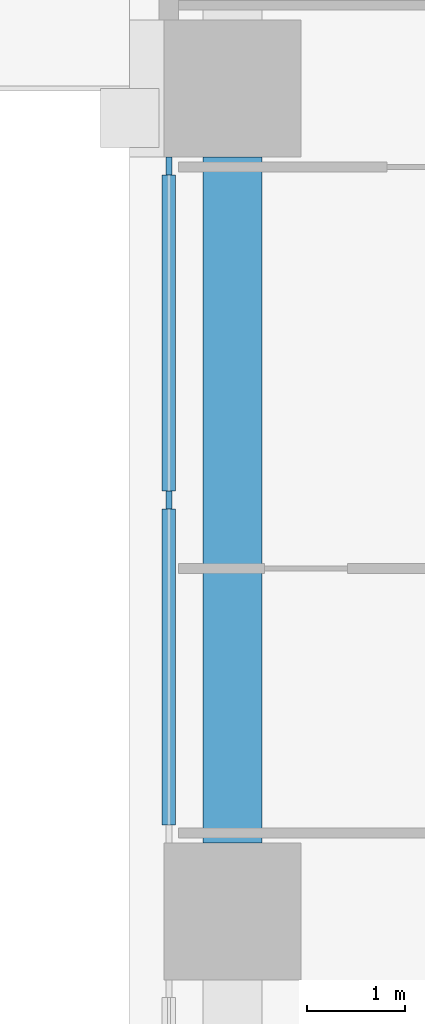
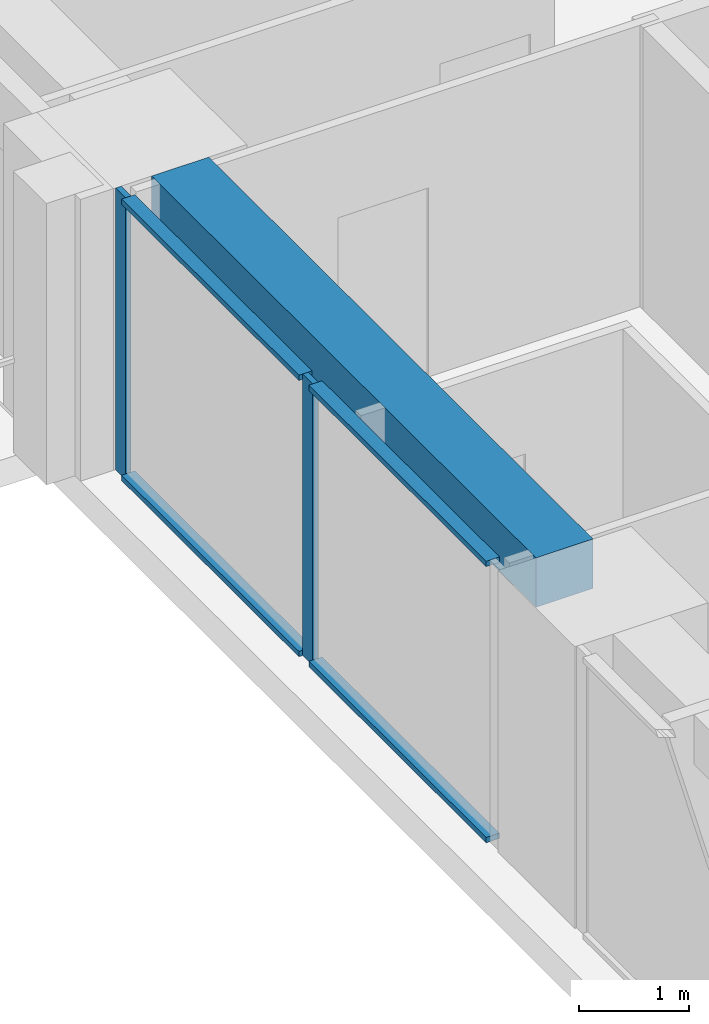
# One storey, part 3 of 16: 6 members, 1 beam, 1 element without a shape of its own.
"""IFC4 building model written with IfcOpenShell, lengths in metres."""

from ifc_helpers import new_model, si_unit, direction, frame, origin, origin_2d, place, context, subcontext, project, spatial, rectangle, extrude, material, material_profile, profile_set, type_object, element, aggregate, save


model = new_model("IFC4")

# Units and contexts
model_context = context("Model", 3, precision=1e-05, world=origin(), true_north=direction((0.0, 1.0)))
body_context = subcontext(model_context, "Body", "Model", "MODEL_VIEW")
ifc_project = project(units=[si_unit("LENGTHUNIT", "METRE"), si_unit("AREAUNIT", "SQUARE_METRE"), si_unit("VOLUMEUNIT", "CUBIC_METRE"), si_unit("PLANEANGLEUNIT", "RADIAN"), si_unit("MASSUNIT", "GRAM", prefix="KILO")], contexts=[model_context])

# Site, building, storey
site_placement = place(None, origin())
site = spatial("IfcSite", under=ifc_project, at=site_placement, CompositionType="ELEMENT")
building_placement = place(site_placement, origin())
building = spatial("IfcBuilding", under=site, at=building_placement, Name="Vermilion Ogive Tower", CompositionType="ELEMENT")
storey_placement = place(building_placement, frame((0.0, 0.0, 41.39990234375)))
storey = spatial("IfcBuildingStorey", under=building, at=storey_placement, Name="L08", CompositionType="ELEMENT", Elevation=41.39990234375)

# Curtain wall, members
ifc_material_1 = material(Name="Low-iron laminated glazing in aluminium frame", Category="aluminium")
curtain_wall_type = type_object("IfcCurtainWallType", Name="Curtain wall CW7", PredefinedType="NOTDEFINED", material=ifc_material_1)
curtain_wall_placement = place(storey_placement, origin())
curtain_wall = element("IfcCurtainWall", 1, at=curtain_wall_placement, inside=storey, type_object=curtain_wall_type, Name="Glazed skin W2", PredefinedType="NOTDEFINED")
ifc_material_2 = material(Name="Aluminium mullion", Category="aluminium")
ifc_material_profile_1 = material_profile(ifc_material_2, rectangle(XDim=0.06005859375, YDim=0.179931640625, at=origin_2d()), Name="AL 60x180")
ifc_profile_set_1 = profile_set([ifc_material_profile_1], Name="Aluminium mullion")
member_type_1 = type_object("IfcMemberType", Name="CW7 mullion 60x180", PredefinedType="MULLION", material=ifc_profile_set_1)
member_1_placement = place(storey_placement, frame((-25.85009765625, 3.409912109375, 0.0), z_axis=(0.0, 0.0, 1.0), x_axis=(1.0, 0.0, 0.0)))
member_1 = element("IfcMember", 2, at=member_1_placement, type_object=member_type_1, Name="CW7-W2 mullion 1", PredefinedType="MULLION", context=body_context, shape_type="SweptSolid", body=[
    extrude(rectangle(XDim=0.06005859375, YDim=0.179931640625, at=origin_2d()), origin(), (0.0, 0.0, 1.0), 3.130126953125),
])
member_2_placement = place(storey_placement, frame((-25.85009765625, 0.0, 0.0), z_axis=(0.0, 0.0, 1.0), x_axis=(1.0, 0.0, 0.0)))
member_2 = element("IfcMember", 3, at=member_2_placement, type_object=member_type_1, Name="CW7-W2 mullion 2", PredefinedType="MULLION", context=body_context, shape_type="SweptSolid", body=[
    extrude(rectangle(XDim=0.06005859375, YDim=0.179931640625, at=origin_2d()), origin(), (0.0, 0.0, 1.0), 3.130126953125),
])
ifc_material_3 = material(Name="Aluminium transom", Category="aluminium")
ifc_material_profile_2 = material_profile(ifc_material_3, rectangle(XDim=0.139892578125, YDim=0.06005859375, at=origin_2d()), Name="AL 60x140")
ifc_profile_set_2 = profile_set([ifc_material_profile_2], Name="Aluminium transom")
member_type_2 = type_object("IfcMemberType", Name="CW7 transom 60x140", PredefinedType="USERDEFINED", material=ifc_profile_set_2)
member_3_placement = place(storey_placement, frame((-25.85009765625, 3.320068359375, 0.030029296875), z_axis=(0.0, -1.0, 0.0), x_axis=(1.0, 0.0, 0.0)))
member_3 = element("IfcMember", 4, at=member_3_placement, type_object=member_type_2, Name="CW7-W2 transom 1.1", ObjectType="TRANSOM", PredefinedType="USERDEFINED", context=body_context, shape_type="SweptSolid", body=[
    extrude(rectangle(XDim=0.139892578125, YDim=0.06005859375, at=origin_2d()), origin(), (0.0, 0.0, 1.0), 3.22998046875),
])
member_4_placement = place(storey_placement, frame((-25.85009765625, 3.320068359375, 3.10009765625), z_axis=(0.0, -1.0, 0.0), x_axis=(1.0, 0.0, 0.0)))
member_4 = element("IfcMember", 5, at=member_4_placement, type_object=member_type_2, Name="CW7-W2 transom 1.2", ObjectType="TRANSOM", PredefinedType="USERDEFINED", context=body_context, shape_type="SweptSolid", body=[
    extrude(rectangle(XDim=0.139892578125, YDim=0.06005859375, at=origin_2d()), origin(), (0.0, 0.0, 1.0), 3.22998046875),
])
member_5_placement = place(storey_placement, frame((-25.85009765625, -0.090087890625, 0.030029296875), z_axis=(0.0, -1.0, 0.0), x_axis=(1.0, 0.0, 0.0)))
member_5 = element("IfcMember", 6, at=member_5_placement, type_object=member_type_2, Name="CW7-W2 transom 2.1", ObjectType="TRANSOM", PredefinedType="USERDEFINED", context=body_context, shape_type="SweptSolid", body=[
    extrude(rectangle(XDim=0.139892578125, YDim=0.06005859375, at=origin_2d()), origin(), (0.0, 0.0, 1.0), 3.22998046875),
])
member_6_placement = place(storey_placement, frame((-25.85009765625, -0.090087890625, 3.10009765625), z_axis=(0.0, -1.0, 0.0), x_axis=(1.0, 0.0, 0.0)))
member_6 = element("IfcMember", 7, at=member_6_placement, type_object=member_type_2, Name="CW7-W2 transom 2.2", ObjectType="TRANSOM", PredefinedType="USERDEFINED", context=body_context, shape_type="SweptSolid", body=[
    extrude(rectangle(XDim=0.139892578125, YDim=0.06005859375, at=origin_2d()), origin(), (0.0, 0.0, 1.0), 3.22998046875),
])
aggregate(curtain_wall, [member_1, member_2, member_3, member_4, member_5, member_6])

# Beam
ifc_material_4 = material(Name="Concrete B45", Category="concrete")
ifc_material_profile_3 = material_profile(ifc_material_4, rectangle(XDim=0.60009765625, YDim=0.550048828125, at=origin_2d()), Name="600 x 550")
ifc_profile_set_3 = profile_set([ifc_material_profile_3], Name="Concrete B45")
beam_type = type_object("IfcBeamType", Name="Edge beam 600 x 550 B45", PredefinedType="BEAM", material=ifc_profile_set_3)
beam_placement = place(storey_placement, frame((-25.199951171875, 3.5, 2.85498046875), z_axis=(0.0, -1.0, 0.0), x_axis=(1.0, 0.0, 0.0)))
element("IfcBeam", 8, at=beam_placement, inside=storey, type_object=beam_type, Name="L08-EB-15", PredefinedType="BEAM", context=body_context, shape_type="SweptSolid", body=[
    extrude(rectangle(XDim=0.60009765625, YDim=0.550048828125, at=origin_2d()), origin(), (0.0, 0.0, 1.0), 7.0),
])

save(model, "model.ifc")
